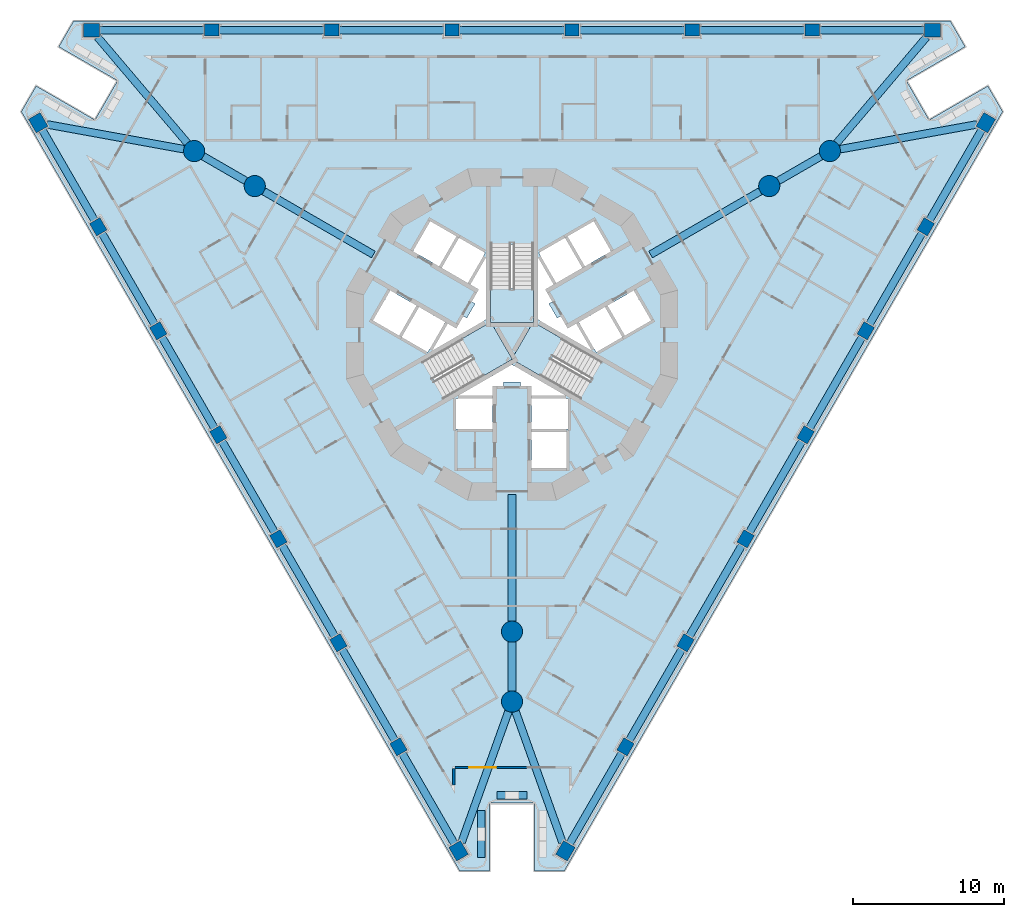
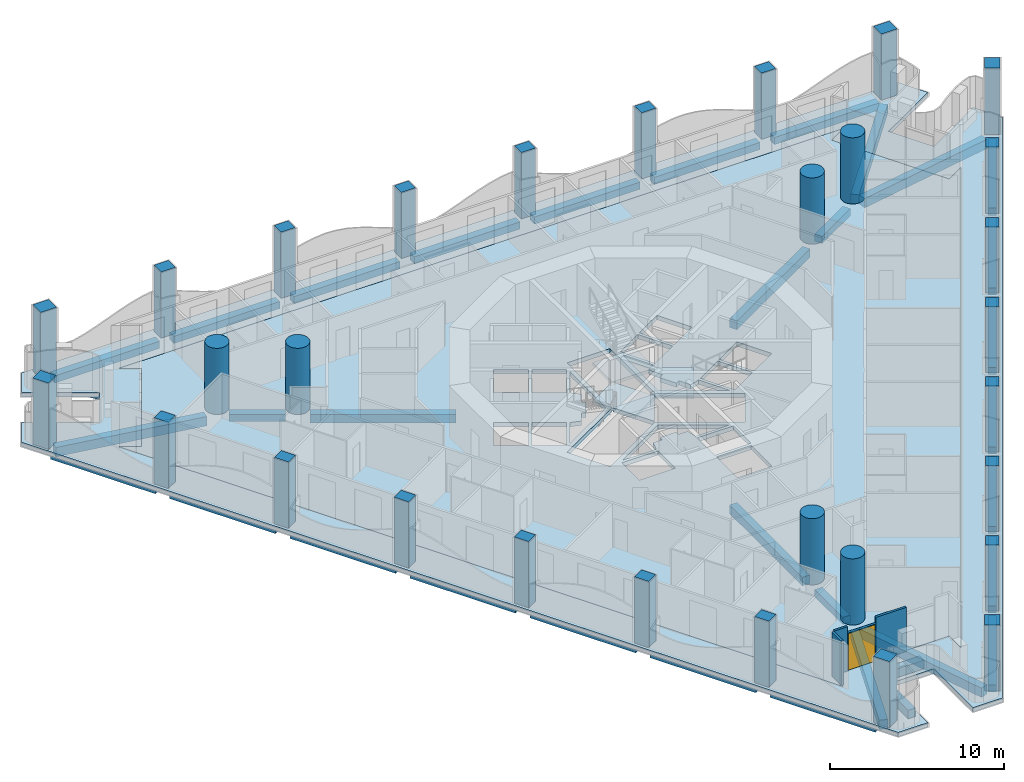
# One storey, part 1 of 19: 33 beams, 30 columns, 6 slabs, 6 walls, 1 door, 1 opening, 3 elements without a shape of their own.
"""IFC4 building model written with IfcOpenShell, lengths in metres."""

from ifc_helpers import new_model, si_unit, direction, frame, frame_2d, origin, origin_2d, place, context, subcontext, project, spatial, polyline, rectangle, circle, outline, extrude, material, layer, layer_set, material_profile, profile_set, type_object, element, fill, aggregate, save


model = new_model("IFC4")

# Units and contexts
model_context = context("Model", 3, precision=1e-05, world=origin(), true_north=direction((0.0, 1.0)))
body_context = subcontext(model_context, "Body", "Model", "MODEL_VIEW")
ifc_project = project(units=[si_unit("LENGTHUNIT", "METRE"), si_unit("AREAUNIT", "SQUARE_METRE"), si_unit("VOLUMEUNIT", "CUBIC_METRE"), si_unit("PLANEANGLEUNIT", "RADIAN"), si_unit("MASSUNIT", "GRAM", prefix="KILO")], contexts=[model_context])

# Site, building, storey
site_placement = place(None, origin())
site = spatial("IfcSite", under=ifc_project, at=site_placement, CompositionType="ELEMENT")
building_placement = place(site_placement, origin())
building = spatial("IfcBuilding", under=site, at=building_placement, Name="Trine Commons Tower", CompositionType="ELEMENT")
storey_placement = place(building_placement, frame((0.0, 0.0, 42.300048828125)))
storey = spatial("IfcBuildingStorey", under=building, at=storey_placement, Name="L09", CompositionType="ELEMENT", Elevation=42.300048828125)

# Columns
ifc_material_1 = material(Name="Concrete C80/95", Category="concrete")
ifc_material_profile_1 = material_profile(ifc_material_1, rectangle(XDim=1.050048828125, YDim=0.89990234375, at=origin_2d()), Name="RC 1050x900")
ifc_profile_set_1 = profile_set([ifc_material_profile_1], Name="Concrete C80/95")
column_type_1 = type_object("IfcColumnType", Name="RC column 1050x900, C80/95", PredefinedType="COLUMN", material=ifc_profile_set_1)
for number, where, z_axis, x_axis, name in (
    (1, (76.45556640625, 28.27001953125, 0.0), (0.0, 0.0, 1.0), (-0.5, 0.866025403784, 0.0), "Column PC1-01 L09"),
    (2, (48.583740234375, 76.54541015625, 0.0), (0.0, 0.0, 1.0), (-0.5, 0.866025403784, 0.0), "Column PC1-08 L09"),
    (3, (52.128173828125, 82.6845703125, 0.0), (0.0, 0.0, 1.0), (1.0, 0.0, 0.0), "Column PC1-09 L09"),
    (4, (107.871826171875, 82.6845703125, 0.0), (0.0, 0.0, 1.0), (1.0, 0.0, 0.0), "Column PC1-16 L09"),
    (5, (111.416259765625, 76.54541015625, 0.0), (0.0, 0.0, 1.0), (0.5, 0.866025403784, 0.0), "Column PC1-17 L09"),
    (6, (83.54443359375, 28.27001953125, 0.0), (0.0, 0.0, 1.0), (0.5, 0.866025403784, 0.0), "Column PC1-24 L09"),
):
    element("IfcColumn", number, at=place(storey_placement, frame(where, z_axis=z_axis, x_axis=x_axis)), inside=storey, type_object=column_type_1, Name=name, PredefinedType="COLUMN", context=body_context, shape_type="SweptSolid", body=[
        extrude(rectangle(XDim=1.050048828125, YDim=0.89990234375, at=origin_2d()), origin(), (0.0, 0.0, 1.0), 4.641357421875),
    ])
ifc_material_profile_2 = material_profile(ifc_material_1, rectangle(XDim=0.949951171875, YDim=0.800048828125, at=origin_2d()), Name="RC 950x800")
ifc_profile_set_2 = profile_set([ifc_material_profile_2], Name="Concrete C80/95")
column_type_2 = type_object("IfcColumnType", Name="RC column 950x800, C80/95", PredefinedType="COLUMN", material=ifc_profile_set_2)
for number, where, z_axis, x_axis, name in (
    (7, (72.473876953125, 35.16650390625, 0.0), (0.0, 0.0, 1.0), (-0.5, 0.866025403784, 0.0), "Column PC1-02 L09"),
    (8, (68.4921875, 42.06298828125, 0.0), (0.0, 0.0, 1.0), (-0.5, 0.866025403784, 0.0), "Column PC1-03 L09"),
    (9, (64.510498046875, 48.95947265625, 0.0), (0.0, 0.0, 1.0), (-0.5, 0.866025403784, 0.0), "Column PC1-04 L09"),
    (10, (60.52880859375, 55.85595703125, 0.0), (0.0, 0.0, 1.0), (-0.5, 0.866025403784, 0.0), "Column PC1-05 L09"),
    (11, (56.547119140625, 62.75244140625, 0.0), (0.0, 0.0, 1.0), (-0.5, 0.866025403784, 0.0), "Column PC1-06 L09"),
    (12, (52.5654296875, 69.64892578125, 0.0), (0.0, 0.0, 1.0), (-0.5, 0.866025403784, 0.0), "Column PC1-07 L09"),
    (13, (60.091552734375, 82.6845703125, 0.0), (0.0, 0.0, 1.0), (1.0, 0.0, 0.0), "Column PC1-10 L09"),
    (14, (68.054931640625, 82.6845703125, 0.0), (0.0, 0.0, 1.0), (1.0, 0.0, 0.0), "Column PC1-11 L09"),
    (15, (76.018310546875, 82.6845703125, 0.0), (0.0, 0.0, 1.0), (1.0, 0.0, 0.0), "Column PC1-12 L09"),
    (16, (83.981689453125, 82.6845703125, 0.0), (0.0, 0.0, 1.0), (1.0, 0.0, 0.0), "Column PC1-13 L09"),
    (17, (91.945068359375, 82.6845703125, 0.0), (0.0, 0.0, 1.0), (1.0, 0.0, 0.0), "Column PC1-14 L09"),
    (18, (99.908447265625, 82.6845703125, 0.0), (0.0, 0.0, 1.0), (1.0, 0.0, 0.0), "Column PC1-15 L09"),
    (19, (107.4345703125, 69.64892578125, 0.0), (0.0, 0.0, 1.0), (0.5, 0.866025403784, 0.0), "Column PC1-18 L09"),
    (20, (103.452880859375, 62.75244140625, 0.0), (0.0, 0.0, 1.0), (0.5, 0.866025403784, 0.0), "Column PC1-19 L09"),
    (21, (99.47119140625, 55.85595703125, 0.0), (0.0, 0.0, 1.0), (0.5, 0.866025403784, 0.0), "Column PC1-20 L09"),
    (22, (95.489501953125, 48.95947265625, 0.0), (0.0, 0.0, 1.0), (0.5, 0.866025403784, 0.0), "Column PC1-21 L09"),
    (23, (91.5078125, 42.06298828125, 0.0), (0.0, 0.0, 1.0), (0.5, 0.866025403784, 0.0), "Column PC1-22 L09"),
    (24, (87.526123046875, 35.16650390625, 0.0), (0.0, 0.0, 1.0), (0.5, 0.866025403784, 0.0), "Column PC1-23 L09"),
):
    element("IfcColumn", number, at=place(storey_placement, frame(where, z_axis=z_axis, x_axis=x_axis)), inside=storey, type_object=column_type_2, Name=name, PredefinedType="COLUMN", context=body_context, shape_type="SweptSolid", body=[
        extrude(rectangle(XDim=0.949951171875, YDim=0.800048828125, at=origin_2d()), origin(), (0.0, 0.0, 1.0), 4.641357421875),
    ])
ifc_material_profile_3 = material_profile(ifc_material_1, circle(Radius=0.699951171875, at=origin_2d()), Name="RC round 1400")
ifc_profile_set_3 = profile_set([ifc_material_profile_3], Name="Concrete C80/95")
column_type_3 = type_object("IfcColumnType", Name="RC round column 1400 mm, C80/95", PredefinedType="COLUMN", material=ifc_profile_set_3)
for number, where, z_axis, x_axis, name in (
    (25, (80.0, 42.802978515625, 0.0), (0.0, 0.0, 1.0), (1.0, 0.0, 0.0), "Column WC1-1 L09"),
    (26, (80.0, 38.162109375, 0.0), (0.0, 0.0, 1.0), (1.0, 0.0, 0.0), "Column WC1-2 L09"),
    (27, (97.05810546875, 72.348388671875, 0.0), (0.0, 0.0, 1.0), (1.0, 0.0, 0.0), "Column WC1-3 L09"),
    (28, (101.0771484375, 74.6689453125, 0.0), (0.0, 0.0, 1.0), (1.0, 0.0, 0.0), "Column WC1-4 L09"),
    (29, (62.94189453125, 72.348388671875, 0.0), (0.0, 0.0, 1.0), (1.0, 0.0, 0.0), "Column WC1-5 L09"),
    (30, (58.9228515625, 74.6689453125, 0.0), (0.0, 0.0, 1.0), (1.0, 0.0, 0.0), "Column WC1-6 L09"),
):
    element("IfcColumn", number, at=place(storey_placement, frame(where, z_axis=z_axis, x_axis=x_axis)), inside=storey, type_object=column_type_3, Name=name, PredefinedType="COLUMN", context=body_context, shape_type="SweptSolid", body=[
        extrude(circle(Radius=0.699951171875, at=origin_2d()), origin(), (0.0, 0.0, 1.0), 4.641357421875),
    ])

# Beams
ifc_material_2 = material(Name="Concrete C50/60", Category="concrete")
ifc_material_profile_4 = material_profile(ifc_material_2, rectangle(XDim=0.5, YDim=0.5, at=origin_2d()), Name="RC 500x500")
ifc_profile_set_4 = profile_set([ifc_material_profile_4], Name="Concrete C50/60")
beam_type_1 = type_object("IfcBeamType", Name="RC beam 500x500, C50/60", PredefinedType="BEAM", material=ifc_profile_set_4)
beam_1_placement = place(storey_placement, frame((76.193115234375, 28.724609375, -0.550048828125), z_axis=(-0.500022902661, 0.866012180523, 0.0), x_axis=(-0.866012180523, -0.500022902661, 0.0)))
element("IfcBeam", 31, at=beam_1_placement, inside=storey, type_object=beam_type_1, Name="Beam EB1-01 L09", PredefinedType="BEAM", context=body_context, shape_type="SweptSolid", body=[
    extrude(rectangle(XDim=0.5, YDim=0.5, at=origin_2d()), origin(), (0.0, 0.0, 1.0), 6.963623046875),
])
beam_2_placement = place(storey_placement, frame((72.236328125, 35.577880859375, -0.550048828125), z_axis=(-0.500017753321, 0.866015153657, 0.0), x_axis=(-0.866015153657, -0.500017753321, 0.0)))
element("IfcBeam", 32, at=beam_2_placement, inside=storey, type_object=beam_type_1, Name="Beam EB1-02 L09", PredefinedType="BEAM", context=body_context, shape_type="SweptSolid", body=[
    extrude(rectangle(XDim=0.5, YDim=0.5, at=origin_2d()), origin(), (0.0, 0.0, 1.0), 7.013427734375),
])
for number, where, z_axis, x_axis, name in (
    (33, (68.254638671875, 42.474365234375, -0.550048828125), (-0.499991645397, 0.866030227263, 0.0), (-0.866030227263, -0.499991645397, 0.0), "Beam EB1-03 L09"),
    (34, (64.27294921875, 49.370849609375, -0.550048828125), (-0.499991645397, 0.866030227263, 0.0), (-0.866030227263, -0.499991645397, 0.0), "Beam EB1-04 L09"),
    (35, (60.291259765625, 56.267333984375, -0.550048828125), (-0.499991645397, 0.866030227263, 0.0), (-0.866030227263, -0.499991645397, 0.0), "Beam EB1-05 L09"),
    (36, (56.3095703125, 63.163818359375, -0.550048828125), (-0.499991645397, 0.866030227263, 0.0), (-0.866030227263, -0.499991645397, 0.0), "Beam EB1-06 L09"),
):
    element("IfcBeam", number, at=place(storey_placement, frame(where, z_axis=z_axis, x_axis=x_axis)), inside=storey, type_object=beam_type_1, Name=name, PredefinedType="BEAM", context=body_context, shape_type="SweptSolid", body=[
        extrude(rectangle(XDim=0.5, YDim=0.5, at=origin_2d()), origin(), (0.0, 0.0, 1.0), 7.01318359375),
    ])
for number, where, z_axis, x_axis, name in (
    (37, (52.327880859375, 70.060302734375, -0.550048828125), (-0.49999660792, 0.866027362194, 0.0), (-0.866027362194, -0.49999660792, 0.0), "Beam EB1-07 L09"),
    (38, (52.6533203125, 82.6845703125, -0.550048828125), (1.0, 0.0, 0.0), (0.0, 1.0, 0.0), "Beam EB1-08 L09"),
):
    element("IfcBeam", number, at=place(storey_placement, frame(where, z_axis=z_axis, x_axis=x_axis)), inside=storey, type_object=beam_type_1, Name=name, PredefinedType="BEAM", context=body_context, shape_type="SweptSolid", body=[
        extrude(rectangle(XDim=0.5, YDim=0.5, at=origin_2d()), origin(), (0.0, 0.0, 1.0), 6.96337890625),
    ])
beam_3_placement = place(storey_placement, frame((60.566650390625, 82.6845703125, -0.550048828125), z_axis=(1.0, 0.0, 0.0), x_axis=(0.0, 1.0, 0.0)))
element("IfcBeam", 39, at=beam_3_placement, inside=storey, type_object=beam_type_1, Name="Beam EB1-09 L09", PredefinedType="BEAM", context=body_context, shape_type="SweptSolid", body=[
    extrude(rectangle(XDim=0.5, YDim=0.5, at=origin_2d()), origin(), (0.0, 0.0, 1.0), 7.01318359375),
])
beam_4_placement = place(storey_placement, frame((68.52978515625, 82.6845703125, -0.550048828125), z_axis=(1.0, 0.0, 0.0), x_axis=(0.0, 1.0, 0.0)))
element("IfcBeam", 40, at=beam_4_placement, inside=storey, type_object=beam_type_1, Name="Beam EB1-10 L09", PredefinedType="BEAM", context=body_context, shape_type="SweptSolid", body=[
    extrude(rectangle(XDim=0.5, YDim=0.5, at=origin_2d()), origin(), (0.0, 0.0, 1.0), 7.013427734375),
])
beam_5_placement = place(storey_placement, frame((76.493408203125, 82.6845703125, -0.550048828125), z_axis=(1.0, 0.0, 0.0), x_axis=(0.0, 1.0, 0.0)))
element("IfcBeam", 41, at=beam_5_placement, inside=storey, type_object=beam_type_1, Name="Beam EB1-11 L09", PredefinedType="BEAM", context=body_context, shape_type="SweptSolid", body=[
    extrude(rectangle(XDim=0.5, YDim=0.5, at=origin_2d()), origin(), (0.0, 0.0, 1.0), 7.01318359375),
])
beam_6_placement = place(storey_placement, frame((84.456787109375, 82.6845703125, -0.550048828125), z_axis=(1.0, 0.0, 0.0), x_axis=(0.0, 1.0, 0.0)))
element("IfcBeam", 42, at=beam_6_placement, inside=storey, type_object=beam_type_1, Name="Beam EB1-12 L09", PredefinedType="BEAM", context=body_context, shape_type="SweptSolid", body=[
    extrude(rectangle(XDim=0.5, YDim=0.5, at=origin_2d()), origin(), (0.0, 0.0, 1.0), 7.013427734375),
])
beam_7_placement = place(storey_placement, frame((92.420166015625, 82.6845703125, -0.550048828125), z_axis=(1.0, 0.0, 0.0), x_axis=(0.0, 1.0, 0.0)))
element("IfcBeam", 43, at=beam_7_placement, inside=storey, type_object=beam_type_1, Name="Beam EB1-13 L09", PredefinedType="BEAM", context=body_context, shape_type="SweptSolid", body=[
    extrude(rectangle(XDim=0.5, YDim=0.5, at=origin_2d()), origin(), (0.0, 0.0, 1.0), 7.01318359375),
])
for number, where, z_axis, x_axis, name in (
    (44, (100.38330078125, 82.6845703125, -0.550048828125), (1.0, 0.0, 0.0), (0.0, 1.0, 0.0), "Beam EB1-14 L09"),
    (45, (111.15380859375, 76.0908203125, -0.550048828125), (-0.49999660792, -0.866027362194, 0.0), (0.866027362194, -0.49999660792, 0.0), "Beam EB1-15 L09"),
):
    element("IfcBeam", number, at=place(storey_placement, frame(where, z_axis=z_axis, x_axis=x_axis)), inside=storey, type_object=beam_type_1, Name=name, PredefinedType="BEAM", context=body_context, shape_type="SweptSolid", body=[
        extrude(rectangle(XDim=0.5, YDim=0.5, at=origin_2d()), origin(), (0.0, 0.0, 1.0), 6.96337890625),
    ])
for number, where, z_axis, x_axis, name in (
    (46, (107.197021484375, 69.237548828125, -0.550048828125), (-0.499991645397, -0.866030227263, 0.0), (0.866030227263, -0.499991645397, 0.0), "Beam EB1-16 L09"),
    (47, (103.21533203125, 62.341064453125, -0.550048828125), (-0.499991645397, -0.866030227263, 0.0), (0.866030227263, -0.499991645397, 0.0), "Beam EB1-17 L09"),
    (48, (99.233642578125, 55.444580078125, -0.550048828125), (-0.499991645397, -0.866030227263, 0.0), (0.866030227263, -0.499991645397, 0.0), "Beam EB1-18 L09"),
    (49, (95.251953125, 48.548095703125, -0.550048828125), (-0.499991645397, -0.866030227263, 0.0), (0.866030227263, -0.499991645397, 0.0), "Beam EB1-19 L09"),
):
    element("IfcBeam", number, at=place(storey_placement, frame(where, z_axis=z_axis, x_axis=x_axis)), inside=storey, type_object=beam_type_1, Name=name, PredefinedType="BEAM", context=body_context, shape_type="SweptSolid", body=[
        extrude(rectangle(XDim=0.5, YDim=0.5, at=origin_2d()), origin(), (0.0, 0.0, 1.0), 7.01318359375),
    ])
beam_8_placement = place(storey_placement, frame((91.2705078125, 41.651611328125, -0.550048828125), z_axis=(-0.500017753321, -0.866015153657, 0.0), x_axis=(0.866015153657, -0.500017753321, 0.0)))
element("IfcBeam", 50, at=beam_8_placement, inside=storey, type_object=beam_type_1, Name="Beam EB1-20 L09", PredefinedType="BEAM", context=body_context, shape_type="SweptSolid", body=[
    extrude(rectangle(XDim=0.5, YDim=0.5, at=origin_2d()), origin(), (0.0, 0.0, 1.0), 7.013427734375),
])
beam_9_placement = place(storey_placement, frame((87.288818359375, 34.755126953125, -0.550048828125), z_axis=(-0.500022902661, -0.866012180523, 0.0), x_axis=(0.866012180523, -0.500022902661, 0.0)))
element("IfcBeam", 51, at=beam_9_placement, inside=storey, type_object=beam_type_1, Name="Beam EB1-21 L09", PredefinedType="BEAM", context=body_context, shape_type="SweptSolid", body=[
    extrude(rectangle(XDim=0.5, YDim=0.5, at=origin_2d()), origin(), (0.0, 0.0, 1.0), 6.963623046875),
])
beam_10_placement = place(storey_placement, frame((80.0, 42.102783203125, -0.550048828125), z_axis=(0.0, -1.0, 0.0), x_axis=(1.0, 0.0, 0.0)))
element("IfcBeam", 52, at=beam_10_placement, inside=storey, type_object=beam_type_1, Name="Beam RB1-02 L09", PredefinedType="BEAM", context=body_context, shape_type="SweptSolid", body=[
    extrude(rectangle(XDim=0.5, YDim=0.5, at=origin_2d()), origin(), (0.0, 0.0, 1.0), 3.240478515625),
])
for number, where, z_axis, x_axis, name in (
    (53, (97.663818359375, 72.697998046875, -0.550048828125), (0.865996235589, 0.500050517394, 0.0), (-0.500050517394, 0.865996235589, 0.0), "Beam RB1-04 L09"),
    (54, (62.336181640625, 72.697998046875, -0.550048828125), (-0.865996235589, 0.500050517394, 0.0), (-0.500050517394, -0.865996235589, 0.0), "Beam RB1-06 L09"),
):
    element("IfcBeam", number, at=place(storey_placement, frame(where, z_axis=z_axis, x_axis=x_axis)), inside=storey, type_object=beam_type_1, Name=name, PredefinedType="BEAM", context=body_context, shape_type="SweptSolid", body=[
        extrude(rectangle(XDim=0.5, YDim=0.5, at=origin_2d()), origin(), (0.0, 0.0, 1.0), 3.242431640625),
    ])
ifc_material_profile_5 = material_profile(ifc_material_2, rectangle(XDim=0.5, YDim=0.60009765625, at=origin_2d()), Name="RC 500x600")
ifc_profile_set_5 = profile_set([ifc_material_profile_5], Name="Concrete C50/60")
beam_type_2 = type_object("IfcBeamType", Name="RC beam 500x600, C50/60", PredefinedType="BEAM", material=ifc_profile_set_5)
beam_11_placement = place(storey_placement, frame((80.0, 51.888427734375, -0.60009765625), z_axis=(0.0, -1.0, 0.0), x_axis=(1.0, 0.0, 0.0)))
element("IfcBeam", 55, at=beam_11_placement, inside=storey, type_object=beam_type_2, Name="Beam RB1-01 L09", PredefinedType="BEAM", context=body_context, shape_type="SweptSolid", body=[
    extrude(rectangle(XDim=0.5, YDim=0.60009765625, at=origin_2d()), origin(), (0.0, 0.0, 1.0), 8.385498046875),
])
for number, where, z_axis, x_axis, name in (
    (56, (89.18994140625, 67.805908203125, -0.60009765625), (0.866038208851, 0.499977820318, 0.0), (-0.499977820318, 0.866038208851, 0.0), "Beam RB1-03 L09"),
    (57, (70.81005859375, 67.805908203125, -0.60009765625), (-0.866038208851, 0.499977820318, 0.0), (-0.499977820318, -0.866038208851, 0.0), "Beam RB1-05 L09"),
):
    element("IfcBeam", number, at=place(storey_placement, frame(where, z_axis=z_axis, x_axis=x_axis)), inside=storey, type_object=beam_type_2, Name=name, PredefinedType="BEAM", context=body_context, shape_type="SweptSolid", body=[
        extrude(rectangle(XDim=0.5, YDim=0.60009765625, at=origin_2d()), origin(), (0.0, 0.0, 1.0), 8.38623046875),
    ])
ifc_material_profile_6 = material_profile(ifc_material_2, rectangle(XDim=0.5, YDim=0.64990234375, at=origin_2d()), Name="RC 500x650")
ifc_profile_set_6 = profile_set([ifc_material_profile_6], Name="Concrete C50/60")
beam_type_3 = type_object("IfcBeamType", Name="RC beam 500x650, C50/60", PredefinedType="BEAM", material=ifc_profile_set_6)
for number, where, z_axis, x_axis, name in (
    (58, (49.1640625, 76.440185546875, -0.625), (0.983921563764, -0.178601109628, 0.0), (0.178601109628, 0.983921563764, 0.0), "Beam CB1-01 L09"),
    (59, (52.509521484375, 82.234619140625, -0.625), (0.646611559024, -0.762819435867, 0.0), (0.762819435867, 0.646611559024, 0.0), "Beam CB1-02 L09"),
    (60, (107.490478515625, 82.234619140625, -0.625), (-0.646611559024, -0.762819435867, 0.0), (0.762819435867, -0.646611559024, 0.0), "Beam CB1-03 L09"),
    (61, (110.8359375, 76.440185546875, -0.625), (-0.983921563764, -0.178601109628, 0.0), (0.178601109628, -0.983921563764, 0.0), "Beam CB1-04 L09"),
):
    element("IfcBeam", number, at=place(storey_placement, frame(where, z_axis=z_axis, x_axis=x_axis)), inside=storey, type_object=beam_type_3, Name=name, PredefinedType="BEAM", context=body_context, shape_type="SweptSolid", body=[
        extrude(rectangle(XDim=0.5, YDim=0.64990234375, at=origin_2d()), origin(), (0.0, 0.0, 1.0), 9.21875),
    ])
for number, where, z_axis, x_axis, name in (
    (62, (83.345458984375, 28.8251953125, -0.625), (-0.337305880684, 0.941395104542, 0.0), (-0.941395104542, -0.337305880684, 0.0), "Beam CB1-05 L09"),
    (63, (76.654541015625, 28.8251953125, -0.625), (0.337305880684, 0.941395104542, 0.0), (-0.941395104542, 0.337305880684, 0.0), "Beam CB1-06 L09"),
):
    element("IfcBeam", number, at=place(storey_placement, frame(where, z_axis=z_axis, x_axis=x_axis)), inside=storey, type_object=beam_type_3, Name=name, PredefinedType="BEAM", context=body_context, shape_type="SweptSolid", body=[
        extrude(rectangle(XDim=0.5, YDim=0.64990234375, at=origin_2d()), origin(), (0.0, 0.0, 1.0), 9.218994140625),
    ])

# Slabs
ifc_layer_1 = layer(ifc_material_2, 0.300048828125)
ifc_layer_set_1 = layer_set([ifc_layer_1], Name="Concrete C50/60")
slab_type_1 = type_object("IfcSlabType", Name="Loggia slab 300 mm, C50/60", PredefinedType="FLOOR", material=ifc_layer_set_1)
slab_1_placement = place(storey_placement, frame((0.0, 0.0, -0.300048828125)))
element("IfcSlab", 64, at=slab_1_placement, inside=storey, type_object=slab_type_1, Name="Loggia slab L09", PredefinedType="FLOOR", context=body_context, shape_type="SweptSolid", body=[
    extrude(outline(polyline([(83.464111328125, 26.930908203125), (112.535888671875, 77.28466796875), (111.5537109375, 78.985595703125), (107.65673828125, 76.735595703125), (106.15673828125, 79.33349609375), (110.0537109375, 81.58349609375), (109.07177734375, 83.28466796875), (50.92822265625, 83.28466796875), (49.9462890625, 81.58349609375), (53.84326171875, 79.33349609375), (52.34326171875, 76.735595703125), (48.4462890625, 78.985595703125), (47.464111328125, 77.28466796875), (76.535888671875, 26.930908203125), (78.5, 26.930908203125), (78.5, 31.430908203125), (81.5, 31.430908203125), (81.5, 26.930908203125), (83.464111328125, 26.930908203125)]), holes=[polyline([(76.10009765625, 32.48583984375), (76.10009765625, 33.830810546875), (83.89990234375, 33.830810546875), (83.89990234375, 32.48583984375), (107.943115234375, 74.129638671875), (106.7783203125, 73.45703125), (102.87841796875, 80.212158203125), (104.043212890625, 80.884521484375), (55.956787109375, 80.884521484375), (57.12158203125, 80.212158203125), (53.2216796875, 73.45703125), (52.056884765625, 74.129638671875), (76.10009765625, 32.48583984375)])]), origin(), (0.0, 0.0, 1.0), 0.300048828125),
])
ifc_layer_2 = layer(ifc_material_2, 0.300048828125)
ifc_layer_set_2 = layer_set([ifc_layer_2], Name="Concrete C50/60")
slab_type_2 = type_object("IfcSlabType", Name="PT flat slab 300 mm, C50/60", PredefinedType="FLOOR", material=ifc_layer_set_2)
slab_2_placement = place(storey_placement, frame((0.0, 0.0, -0.300048828125)))
element("IfcSlab", 65, at=slab_2_placement, inside=storey, type_object=slab_type_2, Name="Floor slab L09", PredefinedType="FLOOR", context=body_context, shape_type="SweptSolid", body=[
    extrude(outline(polyline([(52.056884765625, 74.129638671875), (76.10009765625, 32.48583984375), (76.10009765625, 33.830810546875), (83.89990234375, 33.830810546875), (83.89990234375, 32.48583984375), (107.943115234375, 74.129638671875), (106.7783203125, 73.45703125), (102.87841796875, 80.212158203125), (104.043212890625, 80.884521484375), (55.956787109375, 80.884521484375), (57.12158203125, 80.212158203125), (53.2216796875, 73.45703125), (52.056884765625, 74.129638671875)]), holes=[polyline([(76.300048828125, 56.25), (78.699951171875, 56.25), (78.699951171875, 58.25), (76.300048828125, 58.25), (76.300048828125, 56.25)]), polyline([(81.14990234375, 59.10009765625), (81.300048828125, 58.449951171875), (83.56494140625, 58.449951171875), (80.0, 60.508056640625), (76.43505859375, 58.449951171875), (78.699951171875, 58.449951171875), (78.85009765625, 59.10009765625), (79.449951171875, 59.10009765625), (79.449951171875, 59.360107421875), (80.550048828125, 59.360107421875), (80.550048828125, 59.10009765625), (81.14990234375, 59.10009765625)]), polyline([(80.0, 60.8544921875), (84.4755859375, 58.2705078125), (85.900390625, 60.73876953125), (81.425048828125, 63.32275390625), (81.425048828125, 68.490478515625), (78.574951171875, 68.490478515625), (78.574951171875, 63.32275390625), (74.099609375, 60.73876953125), (75.5244140625, 58.2705078125), (80.0, 60.8544921875)]), polyline([(73.83740234375, 64.325927734375), (72.687255859375, 62.333984375), (74.41943359375, 61.333984375), (75.5693359375, 63.325927734375), (73.83740234375, 64.325927734375)]), polyline([(71.93212890625, 65.426025390625), (70.781982421875, 63.43408203125), (72.51416015625, 62.43408203125), (73.6640625, 64.426025390625), (71.93212890625, 65.426025390625)]), polyline([(76.781005859375, 63.722900390625), (76.381103515625, 63.031005859375), (75.742919921875, 63.22607421875), (74.7099609375, 61.43798828125), (78.27490234375, 63.49609375), (78.27490234375, 67.612060546875), (77.242919921875, 65.823974609375), (77.73095703125, 65.368896484375), (77.3310546875, 64.676025390625), (77.555908203125, 64.5458984375), (77.006103515625, 63.593994140625), (76.781005859375, 63.722900390625)]), polyline([(76.4873046875, 68.916015625), (75.33740234375, 66.924072265625), (77.0693359375, 65.924072265625), (78.219482421875, 67.916015625), (76.4873046875, 68.916015625)]), polyline([(74.58203125, 70.015869140625), (73.43212890625, 68.02392578125), (75.1640625, 67.02392578125), (76.314208984375, 69.015869140625), (74.58203125, 70.015869140625)]), polyline([(81.300048828125, 53.64990234375), (83.60009765625, 53.64990234375), (83.60009765625, 56.050048828125), (81.300048828125, 56.050048828125), (81.300048828125, 53.64990234375)]), polyline([(81.300048828125, 56.25), (83.699951171875, 56.25), (83.699951171875, 58.25), (81.300048828125, 58.25), (81.300048828125, 56.25)]), polyline([(87.312744140625, 62.333984375), (86.16259765625, 64.325927734375), (84.4306640625, 63.325927734375), (85.58056640625, 61.333984375), (87.312744140625, 62.333984375)]), polyline([(89.218017578125, 63.43408203125), (88.06787109375, 65.426025390625), (86.3359375, 64.426025390625), (87.48583984375, 62.43408203125), (89.218017578125, 63.43408203125)]), polyline([(83.243896484375, 63.738037109375), (82.993896484375, 63.593994140625), (82.444091796875, 64.5458984375), (82.72705078125, 64.7099609375), (82.281005859375, 65.549072265625), (82.757080078125, 65.823974609375), (81.72509765625, 67.612060546875), (81.72509765625, 63.49609375), (85.2900390625, 61.43798828125), (84.257080078125, 63.22607421875), (83.618896484375, 63.031005859375), (83.243896484375, 63.738037109375)]), polyline([(82.9306640625, 65.924072265625), (84.66259765625, 66.924072265625), (83.5126953125, 68.916015625), (81.780517578125, 67.916015625), (82.9306640625, 65.924072265625)]), polyline([(84.8359375, 67.02392578125), (86.56787109375, 68.02392578125), (85.41796875, 70.015869140625), (83.685791015625, 69.015869140625), (84.8359375, 67.02392578125)])]), origin(), (0.0, 0.0, 1.0), 0.300048828125),
])
slab_3_placement = place(storey_placement, frame((0.0, 0.0, -0.300048828125)))
element("IfcSlab", 66, at=slab_3_placement, inside=storey, type_object=slab_type_2, Name="Floor slab L09 2", PredefinedType="FLOOR", context=body_context, shape_type="SweptSolid", body=[
    extrude(outline(polyline([(78.61328125, 63.300537109375), (80.0, 60.89892578125), (81.38671875, 63.300537109375), (78.61328125, 63.300537109375)])), origin(), (0.0, 0.0, 1.0), 0.300048828125),
])

# Stair, slab
stair_type = type_object("IfcStairType", Name="Exit stair, dog-leg, 24 risers of 150 mm", PredefinedType="HALF_TURN_STAIR", material=ifc_material_2)
stair_1_placement = place(storey_placement, origin())
stair_1 = element("IfcStair", 67, at=stair_1_placement, inside=storey, type_object=stair_type, Name="L09 Exit stair ST1A", PredefinedType="HALF_TURN_STAIR")
ifc_layer_3 = layer(ifc_material_2, 0.199951171875)
ifc_layer_set_3 = layer_set([ifc_layer_3], Name="Concrete C50/60")
slab_type_3 = type_object("IfcSlabType", Name="Stair landing slab 200 mm, C50/60", PredefinedType="LANDING", material=ifc_layer_set_3)
slab_4_placement = place(storey_placement, frame((0.0, 0.0, 1.599853515625)))
slab_4 = element("IfcSlab", 68, at=slab_4_placement, type_object=slab_type_3, Name="ST1A landing 1", PredefinedType="LANDING", context=body_context, shape_type="SweptSolid", body=[
    extrude(outline(polyline([(78.574951171875, 65.570556640625), (78.574951171875, 63.300537109375), (81.425048828125, 63.300537109375), (81.425048828125, 65.570556640625), (78.574951171875, 65.570556640625)])), origin(), (0.0, 0.0, 1.0), 0.2001953125),
])
aggregate(stair_1, [slab_4])

stair_2_placement = place(storey_placement, origin())
stair_2 = element("IfcStair", 69, at=stair_2_placement, inside=storey, type_object=stair_type, Name="L09 Exit stair ST2A", PredefinedType="HALF_TURN_STAIR")
slab_5_placement = place(storey_placement, frame((0.0, 0.0, 1.599853515625)))
slab_5 = element("IfcSlab", 70, at=slab_5_placement, type_object=slab_type_3, Name="ST2A landing 1", PredefinedType="LANDING", context=body_context, shape_type="SweptSolid", body=[
    extrude(outline(polyline([(78.05322265625, 59.730712890625), (80.019287109375, 60.86572265625), (78.59423828125, 63.333740234375), (76.628173828125, 62.19873046875), (78.05322265625, 59.730712890625)])), origin(), (0.0, 0.0, 1.0), 0.2001953125),
])
aggregate(stair_2, [slab_5])

stair_3_placement = place(storey_placement, origin())
stair_3 = element("IfcStair", 71, at=stair_3_placement, inside=storey, type_object=stair_type, Name="L09 Exit stair ST3A", PredefinedType="HALF_TURN_STAIR")
slab_6_placement = place(storey_placement, frame((0.0, 0.0, 1.599853515625)))
slab_6 = element("IfcSlab", 72, at=slab_6_placement, type_object=slab_type_3, Name="ST3A landing 1", PredefinedType="LANDING", context=body_context, shape_type="SweptSolid", body=[
    extrude(outline(polyline([(83.371826171875, 62.19873046875), (81.40576171875, 63.333740234375), (79.980712890625, 60.86572265625), (81.94677734375, 59.730712890625), (83.371826171875, 62.19873046875)])), origin(), (0.0, 0.0, 1.0), 0.2001953125),
])
aggregate(stair_3, [slab_6])

# Wall
ifc_material_3 = material(Name="Aluminium-framed insulated wall panel", Category="aluminium")
ifc_layer_4 = layer(ifc_material_3, 0.14990234375)
ifc_layer_set_4 = layer_set([ifc_layer_4], Name="Aluminium-framed insulated wall panel")
wall_type_1 = type_object("IfcWallType", Name="Glazed frame wall 150, EI 60", PredefinedType="SOLIDWALL", material=ifc_layer_set_4)
wall_1_placement = place(storey_placement, frame((81.0, 33.7958984375, 0.0), z_axis=(0.0, 0.0, 1.0), x_axis=(-1.0, 0.0, 0.0)))
element("IfcWall", 73, at=wall_1_placement, inside=storey, type_object=wall_type_1, Name="Glazed frame wall P3.3", PredefinedType="SOLIDWALL", context=body_context, shape_type="SweptSolid", body=[
    extrude(outline(polyline([(0.0, -0.074951171875), (2.0, -0.074951171875), (2.0, 0.074951171875), (0.0, 0.074951171875), (0.0, -0.074951171875)])), origin(), (0.0, 0.0, 1.0), 3.099853515625),
])

# Wall, opening, door
wall_2_placement = place(storey_placement, frame((79.0, 33.7958984375, 0.0), z_axis=(0.0, 0.0, 1.0), x_axis=(-1.0, 0.0, 0.0)))
wall_2 = element("IfcWall", 74, at=wall_2_placement, inside=storey, type_object=wall_type_1, Name="Glazed frame wall P3.4", PredefinedType="SOLIDWALL", context=body_context, shape_type="SweptSolid", body=[
    extrude(outline(polyline([(0.0, -0.074951171875), (1.89990234375, -0.074951171875), (1.89990234375, 0.074951171875), (0.0, 0.074951171875), (0.0, -0.074951171875)])), origin(), (0.0, 0.0, 1.0), 2.64990234375),
])
opening_placement = place(wall_2_placement, frame((0.050048828125, 0.0, 0.0)))
opening = element("IfcOpeningElement", 75, at=opening_placement, cuts=wall_2, Name="Opening BD-1P3-02", PredefinedType="OPENING", context=body_context, shape_type="SweptSolid", body=[
    extrude(rectangle(XDim=1.800048828125, YDim=2.60009765625, at=frame_2d((0.89990234375, 1.300048828125))), frame((0.0, 0.0849609375, 0.0), z_axis=(0.0, -1.0, 0.0), x_axis=(1.0, 0.0, 0.0)), (0.0, 0.0, 1.0), 0.169921875),
])
ifc_material_4 = material(Name="Anodised aluminium frame with double glazing", Category="aluminium")
door_type = type_object("IfcDoorType", Name="Sliding loggia door 1800x2600", OperationType="SLIDING_TO_LEFT", PredefinedType="DOOR", material=ifc_material_4)
door_placement = place(opening_placement, origin())
door = element("IfcDoor", 76, at=door_placement, inside=storey, type_object=door_type, Name="Loggia door P3 2", OperationType="SLIDING_TO_LEFT", OverallHeight=2.60009765625, OverallWidth=1.800048828125, PredefinedType="DOOR", context=body_context, shape_type="SweptSolid", body=[
    extrude(rectangle(XDim=1.800048828125, YDim=2.60009765625, at=frame_2d((0.89990234375, 1.300048828125))), frame((0.0, 0.02490234375, 0.0), z_axis=(0.0, -1.0, 0.0), x_axis=(1.0, 0.0, 0.0)), (0.0, 0.0, 1.0), 0.050048828125),
])
fill(opening, door)

# Walls
wall_3_placement = place(storey_placement, frame((77.10009765625, 33.7958984375, 0.0), z_axis=(0.0, 0.0, 1.0), x_axis=(-1.0, 0.0, 0.0)))
element("IfcWall", 77, at=wall_3_placement, inside=storey, type_object=wall_type_1, Name="Glazed frame wall P3.5", PredefinedType="SOLIDWALL", context=body_context, shape_type="SweptSolid", body=[
    extrude(outline(polyline([(0.889892578125, 0.074951171875), (0.0, 0.074951171875), (0.0, -0.074951171875), (0.889892578125, -0.074951171875), (0.889892578125, 0.074951171875)])), origin(), (0.0, 0.0, 1.0), 3.099853515625),
])
wall_4_placement = place(storey_placement, frame((76.135009765625, 33.830810546875, 0.0), z_axis=(0.0, 0.0, 1.0), x_axis=(0.0, -1.0, 0.0)))
element("IfcWall", 78, at=wall_4_placement, inside=storey, type_object=wall_type_1, Name="Glazed frame wall R11", PredefinedType="SOLIDWALL", context=body_context, shape_type="SweptSolid", body=[
    extrude(outline(polyline([(0.110107421875, 0.074951171875), (0.110107421875, -0.074951171875), (1.19580078125, -0.074951171875), (1.19580078125, 0.074951171875), (0.110107421875, 0.074951171875)])), origin(), (0.0, 0.0, 1.0), 3.099853515625),
])
ifc_material_5 = material(Name="Planter trough, precast concrete C40/50", Category="concrete")
ifc_layer_5 = layer(ifc_material_5, 0.5)
ifc_layer_set_5 = layer_set([ifc_layer_5], Name="Planter trough, precast concrete C40/50")
wall_type_2 = type_object("IfcWallType", Name="Planter trough 500x600", PredefinedType="PARAPET", material=ifc_layer_set_5)
wall_5_placement = place(storey_placement, frame((81.0, 31.970703125, 0.0), z_axis=(0.0, 0.0, 1.0), x_axis=(-1.0, 0.0, 0.0)))
element("IfcWall", 79, at=wall_5_placement, inside=storey, type_object=wall_type_2, Name="Planter 8", PredefinedType="PARAPET", context=body_context, shape_type="SweptSolid", body=[
    extrude(rectangle(XDim=2.0, YDim=0.5, at=frame_2d((1.0, 0.0))), origin(), (0.0, 0.0, 1.0), 0.599853515625),
])
wall_6_placement = place(storey_placement, frame((77.9599609375, 30.930908203125, 0.0), z_axis=(0.0, 0.0, 1.0), x_axis=(0.0, -1.0, 0.0)))
element("IfcWall", 80, at=wall_6_placement, inside=storey, type_object=wall_type_2, Name="Planter 9", PredefinedType="PARAPET", context=body_context, shape_type="SweptSolid", body=[
    extrude(rectangle(XDim=3.10009765625, YDim=0.5, at=frame_2d((1.550048828125, 0.0))), origin(), (0.0, 0.0, 1.0), 0.599853515625),
])

save(model, "model.ifc")
